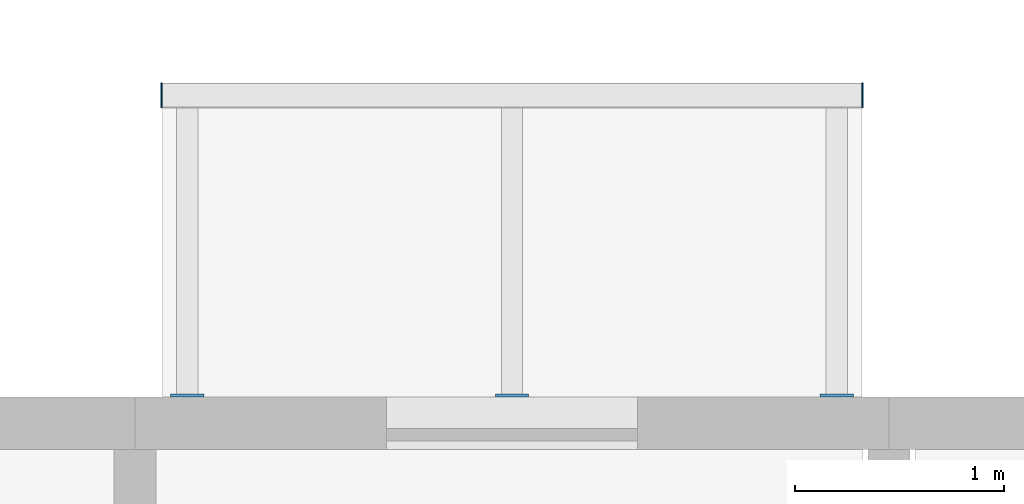
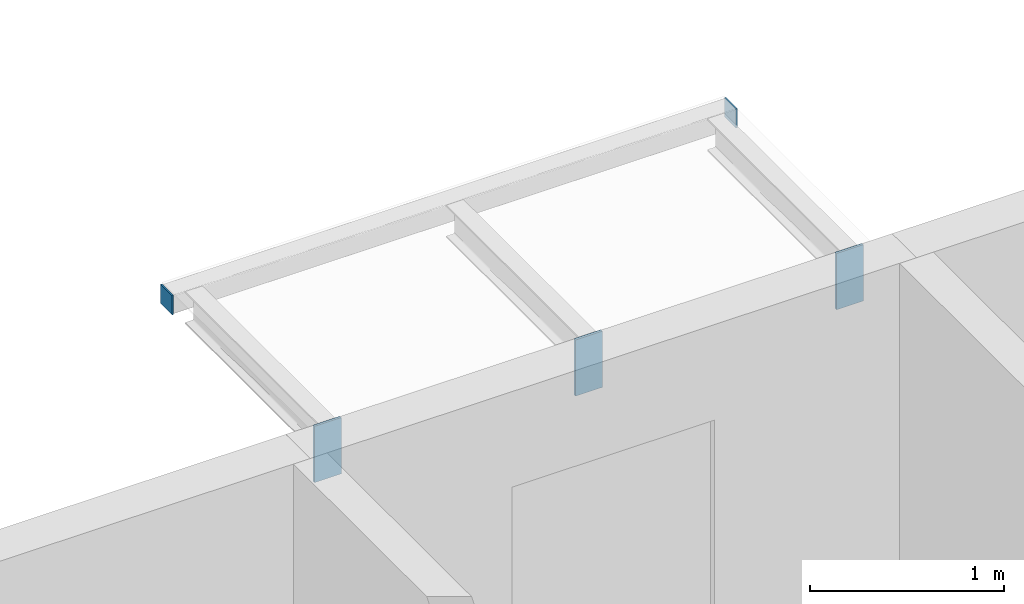
# One storey, part 64 of 98: 5 discrete accessories.
"""IFC4 building model written with IfcOpenShell, lengths in metres."""

from ifc_helpers import new_model, si_unit, direction, frame, origin, origin_2d, place, context, subcontext, project, spatial, rectangle, extrude, material, layer, layer_set, type_object, element, save


model = new_model("IFC4")

# Units and contexts
model_context = context("Model", 3, precision=1e-05, world=origin(), true_north=direction((0.0, 1.0)))
body_context = subcontext(model_context, "Body", "Model", "MODEL_VIEW")
ifc_project = project(units=[si_unit("LENGTHUNIT", "METRE"), si_unit("AREAUNIT", "SQUARE_METRE"), si_unit("VOLUMEUNIT", "CUBIC_METRE"), si_unit("PLANEANGLEUNIT", "RADIAN"), si_unit("MASSUNIT", "GRAM", prefix="KILO")], contexts=[model_context])

# Site, building, storey
site_placement = place(None, origin())
site = spatial("IfcSite", under=ifc_project, at=site_placement, CompositionType="ELEMENT")
building_placement = place(site_placement, origin())
building = spatial("IfcBuilding", under=site, at=building_placement, Name="Ridgestep Commons", CompositionType="ELEMENT")
storey_placement = place(building_placement, frame((0.0, 0.0, 12.0)))
storey = spatial("IfcBuildingStorey", under=building, at=storey_placement, Name="L04", CompositionType="ELEMENT", Elevation=12.0)

# Discrete accessories
ifc_material_1 = material(Name="Weathering steel S355J2W", Category="steel")
ifc_layer_1 = layer(ifc_material_1, 0.014892578125)
ifc_layer_set_1 = layer_set([ifc_layer_1], Name="Tray bracket plate 15")
discrete_accessory_type_1 = type_object("IfcDiscreteAccessoryType", Name="Tray bracket plate 15", PredefinedType="BRACKET", material=ifc_layer_set_1)
for number, where, z_axis, x_axis, name in (
    (1, (32.64990234375, 23.007568359375, 2.63671875), (0.0, 0.0, 1.0), (1.0, 0.0, 0.0), "Tray bracket A2T2-05.1"),
    (2, (34.199951171875, 23.007568359375, 2.63671875), (0.0, 0.0, 1.0), (1.0, 0.0, 0.0), "Tray bracket A2T2-05.2"),
    (3, (35.75, 23.007568359375, 2.63671875), (0.0, 0.0, 1.0), (1.0, 0.0, 0.0), "Tray bracket A2T2-05.3"),
):
    element("IfcDiscreteAccessory", number, at=place(storey_placement, frame(where, z_axis=z_axis, x_axis=x_axis)), inside=storey, type_object=discrete_accessory_type_1, Name=name, PredefinedType="BRACKET", context=body_context, shape_type="SweptSolid", body=[
        extrude(rectangle(XDim=0.159912109375, YDim=0.014892578125, at=origin_2d()), origin(), (0.0, 0.0, 1.0), 0.353271484375),
    ])
ifc_material_2 = material(Name="Weathering steel S355J2W", Category="steel")
ifc_layer_2 = layer(ifc_material_2, 0.008056640625)
ifc_layer_set_2 = layer_set([ifc_layer_2], Name="Tray edge member end plate 120 x 120 x 8")
discrete_accessory_type_2 = type_object("IfcDiscreteAccessoryType", Name="Tray edge member end plate 120 x 120 x 8", PredefinedType="BRACKET", material=ifc_layer_set_2)
for number, where, z_axis, x_axis, name in (
    (4, (32.52587890625, 24.43994140625, 2.869873046875), (0.0, 0.0, 1.0), (1.0, 0.0, 0.0), "Tray edge member end plate A2T2-05 west"),
    (5, (35.8740234375, 24.43994140625, 2.869873046875), (0.0, 0.0, 1.0), (1.0, 0.0, 0.0), "Tray edge member end plate A2T2-05 east"),
):
    element("IfcDiscreteAccessory", number, at=place(storey_placement, frame(where, z_axis=z_axis, x_axis=x_axis)), inside=storey, type_object=discrete_accessory_type_2, Name=name, PredefinedType="BRACKET", context=body_context, shape_type="SweptSolid", body=[
        extrude(rectangle(XDim=0.008056640625, YDim=0.1201171875, at=origin_2d()), origin(), (0.0, 0.0, 1.0), 0.1201171875),
    ])

save(model, "model.ifc")
